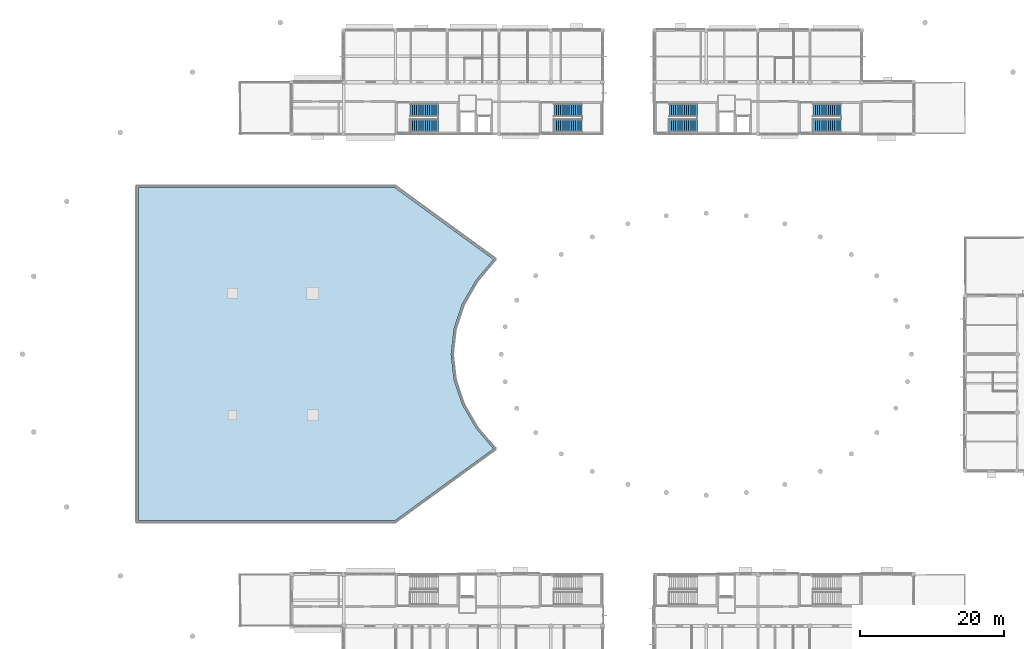
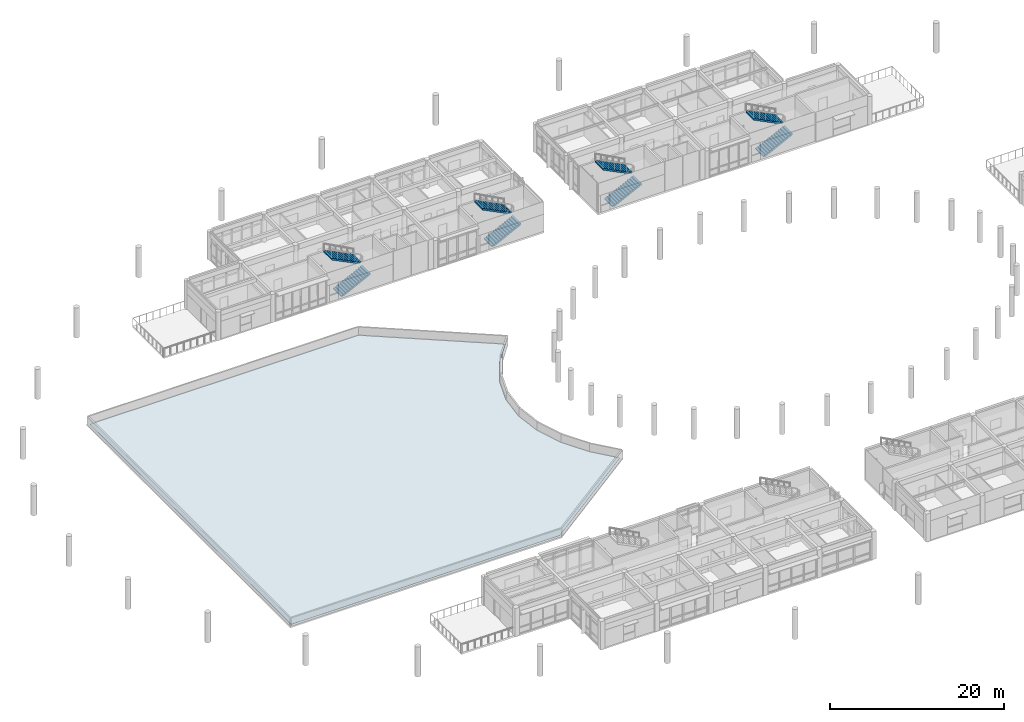
# One storey, part 31 of 55: 8 stair flights, 1 roof, 4 elements without a shape of their own.
"""IFC4 building model written with IfcOpenShell, lengths in metres."""

import ifcopenshell
import ifcopenshell.guid

model = None  # the IFC model being written
_history = None  # IfcOwnerHistory: only IFC2X3 demands one
_inside = {}  # id of a spatial element -> (the spatial element, [elements in it])
_under = {}  # id of a project, library or spatial element -> (it, [spatial elements below it])
_declared = {}  # id of a project -> (the project, [libraries it declares])
_typed = {}  # id of a type object -> (the type object, [elements of that type])
_made_of = {}  # id of a material, layer set ... -> (it, [elements and type objects made of it])


def new_model(schema):
    """Start an empty IFC model of exactly this schema.

    Asked for "IFC4X3", IfcOpenShell would pick the latest addendum, in which some entities
    have other attributes; the version numbers below select the first issue.
    IFC2X3 requires an IfcOwnerHistory on every rooted entity: one is made here for all.
    """
    global model, _history
    if schema == "IFC4X3":
        model = ifcopenshell.file(schema_version=(4, 3, 0, 0))
    else:
        model = ifcopenshell.file(schema=schema)
    _inside.clear()
    _under.clear()
    _declared.clear()
    _typed.clear()
    _made_of.clear()
    _history = None
    if model.schema == "IFC2X3":
        org = make("IfcOrganization", Name="unknown")
        user = make(
            "IfcPersonAndOrganization",
            ThePerson=make("IfcPerson", FamilyName="unknown"),
            TheOrganization=org,
        )
        app = make(
            "IfcApplication",
            ApplicationDeveloper=org,
            Version="unknown",
            ApplicationFullName="unknown",
            ApplicationIdentifier="unknown",
        )
        _history = make(
            "IfcOwnerHistory",
            OwningUser=user,
            OwningApplication=app,
            ChangeAction="ADDED",
            CreationDate=0,
        )
    return model


def make(cls, **values):
    """One entity of the class cls with the attributes given. An attribute that is None is left unset."""
    return model.create_entity(
        cls, **{name: value for name, value in values.items() if value is not None}
    )


def rooted(cls, **values):
    """An entity with a GlobalId (a new one), such as an element, a storey or a relation."""
    return make(cls, GlobalId=ifcopenshell.guid.new(), OwnerHistory=_history, **values)


def si_unit(unit_type, name, prefix=None):
    """IfcSIUnit, for example si_unit("LENGTHUNIT", "METRE", prefix="MILLI")."""
    return make("IfcSIUnit", UnitType=unit_type, Prefix=prefix, Name=name)


def assignment(units):
    """IfcUnitAssignment: the units of a project."""
    return None if units is None else make("IfcUnitAssignment", Units=units)


def point(xyz):
    """IfcCartesianPoint."""
    return None if xyz is None else make("IfcCartesianPoint", Coordinates=xyz)


def direction(xyz):
    """IfcDirection."""
    return None if xyz is None else make("IfcDirection", DirectionRatios=xyz)


def frame(location, z_axis=None, x_axis=None):
    """IfcAxis2Placement3D, a coordinate frame: its origin and axes. An axis left out is left unset."""
    return make(
        "IfcAxis2Placement3D",
        Location=point(location),
        Axis=direction(z_axis),
        RefDirection=direction(x_axis),
    )


def origin():
    """The frame at (0, 0, 0) with its axes left unset."""
    return frame((0.0, 0.0, 0.0))


def place(relative_to, where):
    """IfcLocalPlacement: puts the frame where relative to a parent placement (None: the world)."""
    return make(
        "IfcLocalPlacement", PlacementRelTo=relative_to, RelativePlacement=where
    )


def context(
    kind, dimensions, precision=None, world=None, true_north=None, identifier=None
):
    """IfcGeometricRepresentationContext, for example the 3D "Model" context."""
    return make(
        "IfcGeometricRepresentationContext",
        ContextIdentifier=identifier,
        ContextType=kind,
        CoordinateSpaceDimension=dimensions,
        Precision=precision,
        WorldCoordinateSystem=world,
        TrueNorth=true_north,
    )


def subcontext(parent, identifier, kind, view, scale=None):
    """IfcGeometricRepresentationSubContext, for example "Body" below "Model"."""
    return make(
        "IfcGeometricRepresentationSubContext",
        ContextIdentifier=identifier,
        ContextType=kind,
        ParentContext=parent,
        TargetScale=scale,
        TargetView=view,
    )


def project(units=None, contexts=None):
    """IfcProject with its units and contexts."""
    return rooted(
        "IfcProject",
        Name="project",
        RepresentationContexts=contexts,
        UnitsInContext=assignment(units),
    )


def spatial(cls, under=None, at=None, **own):
    """A site, building, storey or space (cls), placed at a placement, below another one or the project."""
    s = rooted(cls, ObjectPlacement=at, **own)
    if under is not None:
        _under.setdefault(under.id(), (under, []))[1].append(s)
    return s


def polyline(points):
    """IfcPolyline through the points."""
    return make("IfcPolyline", Points=[point(p) for p in points])


def outline(outer, holes=None, kind="AREA"):
    """IfcArbitraryClosedProfileDef: a profile drawn as a closed curve; with holes, ...WithVoids."""
    if holes is None:
        return make("IfcArbitraryClosedProfileDef", ProfileType=kind, OuterCurve=outer)
    return make(
        "IfcArbitraryProfileDefWithVoids",
        ProfileType=kind,
        OuterCurve=outer,
        InnerCurves=holes,
    )


def extrude(swept, where, along, depth):
    """IfcExtrudedAreaSolid: the profile swept, set in the frame where, extruded along a direction by depth."""
    return make(
        "IfcExtrudedAreaSolid",
        SweptArea=swept,
        Position=where,
        ExtrudedDirection=direction(along),
        Depth=depth,
    )


def shape(context_of_items, identifier, shape_type, items):
    """IfcShapeRepresentation: the items that make up one representation, for example the "Body"."""
    return make(
        "IfcShapeRepresentation",
        ContextOfItems=context_of_items,
        RepresentationIdentifier=identifier,
        RepresentationType=shape_type,
        Items=items,
    )


def material(Name=None, Category=None):
    """IfcMaterial."""
    return make("IfcMaterial", Name=Name, Category=Category)


def layer(
    of_material, thickness, ventilated=None, Name=None, Category=None, Priority=None
):
    """IfcMaterialLayer: one layer of a wall or slab, of a material (None: an air gap)."""
    return make(
        "IfcMaterialLayer",
        Material=of_material,
        LayerThickness=thickness,
        IsVentilated=ventilated,
        Name=Name,
        Category=Category,
        Priority=Priority,
    )


def layer_set(layers, Name=None):
    """IfcMaterialLayerSet."""
    return make("IfcMaterialLayerSet", MaterialLayers=layers, LayerSetName=Name)


def made_of(thing, what):
    """Note that an element or type object is made of a material, layer set ...; save() writes the relation."""
    if what is not None:
        _made_of.setdefault(what.id(), (what, []))[1].append(thing)
    return thing


def type_object(cls, material=None, **own):
    """A type object (cls), such as IfcWallType, which elements share."""
    return made_of(rooted(cls, **own), material)


def element(
    cls,
    number,
    at=None,
    inside=None,
    cuts=None,
    type_object=None,
    material=None,
    context=None,
    identifier="Body",
    shape_type=None,
    held_by="IfcProductDefinitionShape",
    body=None,
    shapes=None,
    **own,
):
    """One element of the class cls, such as IfcWall. Its Tag is "e" and its number.

    at: its placement. inside: the storey or other place that contains it. cuts: it is an
    opening in that element (IfcRelVoidsElement). A single representation is given by context,
    identifier, shape_type and body (its items); several are given by shapes. held_by: the class
    of the entity that holds the representations. save() writes the other relations.
    """
    e = rooted(cls, Tag="e%d" % number, ObjectPlacement=at, **own)
    if body is not None:
        shapes = [shape(context, identifier, shape_type, body)]
    if shapes is not None:
        e.Representation = make(held_by, Representations=shapes)
    if inside is not None:
        _inside.setdefault(inside.id(), (inside, []))[1].append(e)
    if cuts is not None:
        rooted(
            "IfcRelVoidsElement", RelatingBuildingElement=cuts, RelatedOpeningElement=e
        )
    if type_object is not None:
        _typed.setdefault(type_object.id(), (type_object, []))[1].append(e)
    return made_of(e, material)


def aggregate(whole, parts):
    """IfcRelAggregates: a whole, such as a stair, and the parts it consists of."""
    return rooted("IfcRelAggregates", RelatingObject=whole, RelatedObjects=parts)


def save(model, path):
    """Write the relations noted so far, then the file.

    IfcRelAggregates (storeys below a building ...), IfcRelContainedInSpatialStructure (elements
    in a storey), IfcRelDefinesByType, IfcRelAssociatesMaterial and IfcRelDeclares: one each for
    every whole, place, type object, material and project.
    """
    for whole, parts in _under.values():
        aggregate(whole, parts)
    for where, things in _inside.values():
        rooted(
            "IfcRelContainedInSpatialStructure",
            RelatedElements=things,
            RelatingStructure=where,
        )
    for kind, things in _typed.values():
        rooted("IfcRelDefinesByType", RelatedObjects=things, RelatingType=kind)
    for what, things in _made_of.values():
        rooted("IfcRelAssociatesMaterial", RelatedObjects=things, RelatingMaterial=what)
    for by, libraries in _declared.values():
        rooted("IfcRelDeclares", RelatingContext=by, RelatedDefinitions=libraries)
    model.write(path)


model = new_model("IFC4")

# Units and contexts
model_context = context("Model", 3, precision=1e-05, world=origin(), true_north=direction((0.0, 1.0)))
body_context = subcontext(model_context, "Body", "Model", "MODEL_VIEW")
ifc_project = project(units=[si_unit("LENGTHUNIT", "METRE"), si_unit("AREAUNIT", "SQUARE_METRE"), si_unit("VOLUMEUNIT", "CUBIC_METRE"), si_unit("PLANEANGLEUNIT", "RADIAN"), si_unit("MASSUNIT", "GRAM", prefix="KILO")], contexts=[model_context])

# Site, building, storey
site_placement = place(None, origin())
site = spatial("IfcSite", under=ifc_project, at=site_placement, CompositionType="ELEMENT")
building_placement = place(site_placement, origin())
building = spatial("IfcBuilding", under=site, at=building_placement, Name="Namkhue Oval Health Centre", CompositionType="ELEMENT")
storey_placement = place(building_placement, frame((0.0, 0.0, 9.60009765625)))
storey = spatial("IfcBuildingStorey", under=building, at=storey_placement, Name="L02", CompositionType="ELEMENT", Elevation=9.60009765625)

# Stair, stair flights
ifc_material_1 = material(Name="Reinforced concrete C30/37 (TCVN B35)", Category="concrete")
stair_type = type_object("IfcStairType", Name="DOGLEG EXIT STAIR H4200", PredefinedType="HALF_TURN_STAIR", material=ifc_material_1)
stair_1_placement = place(storey_placement, origin())
stair_1 = element("IfcStair", 1, at=stair_1_placement, inside=storey, type_object=stair_type, Name="Protected Exit Stair ST-03 L02", PredefinedType="HALF_TURN_STAIR")
stair_flight_type = type_object("IfcStairFlightType", Name="STRAIGHT STAIR FLIGHT 1850", PredefinedType="STRAIGHT", material=ifc_material_1)
stair_flight_1_placement = place(storey_placement, frame((59.64990234375, 91.175048828125, 0.0), z_axis=(0.0, 0.0, 1.0), x_axis=(1.0, 0.0, 0.0)))
stair_flight_1 = element("IfcStairFlight", 2, at=stair_flight_1_placement, type_object=stair_flight_type, Name="ST-03 flight 1", NumberOfRisers=14, NumberOfTreads=13, PredefinedType="STRAIGHT", RiserHeight=0.15, TreadLength=0.3, context=body_context, shape_type="SweptSolid", body=[
    extrude(outline(polyline([(0.0, 0.0), (0.0, 0.14990234375), (0.300048828125, 0.14990234375), (0.300048828125, 0.300048828125), (0.60009765625, 0.300048828125), (0.60009765625, 0.449951171875), (0.89990234375, 0.449951171875), (0.89990234375, 0.60009765625), (1.199951171875, 0.60009765625), (1.199951171875, 0.75), (1.5, 0.75), (1.5, 0.89990234375), (1.800048828125, 0.89990234375), (1.800048828125, 1.050048828125), (2.10009765625, 1.050048828125), (2.10009765625, 1.199951171875), (2.39990234375, 1.199951171875), (2.39990234375, 1.35009765625), (2.699951171875, 1.35009765625), (2.699951171875, 1.5), (3.0, 1.5), (3.0, 1.64990234375), (3.300048828125, 1.64990234375), (3.300048828125, 1.800048828125), (3.60009765625, 1.800048828125), (3.60009765625, 1.949951171875), (3.89990234375, 1.949951171875), (3.89990234375, 2.10009765625), (3.89990234375, 1.748779296875), (0.40234375, 0.0), (0.0, 0.0)])), frame((0.0, 0.925048828125, 0.0), z_axis=(0.0, -1.0, 0.0), x_axis=(1.0, 0.0, 0.0)), (0.0, 0.0, 1.0), 1.85009765625),
])
stair_flight_2_placement = place(storey_placement, frame((63.550048828125, 93.324951171875, 2.099853515625), z_axis=(0.0, 0.0, 1.0), x_axis=(-1.0, 0.0, 0.0)))
stair_flight_2 = element("IfcStairFlight", 3, at=stair_flight_2_placement, type_object=stair_flight_type, Name="ST-03 flight 2", NumberOfRisers=14, NumberOfTreads=13, PredefinedType="STRAIGHT", RiserHeight=0.15, TreadLength=0.3, context=body_context, shape_type="SweptSolid", body=[
    extrude(outline(polyline([(0.0, 0.0), (0.0, 0.14990234375), (0.300048828125, 0.14990234375), (0.300048828125, 0.300048828125), (0.60009765625, 0.300048828125), (0.60009765625, 0.449951171875), (0.89990234375, 0.449951171875), (0.89990234375, 0.60009765625), (1.199951171875, 0.60009765625), (1.199951171875, 0.75), (1.5, 0.75), (1.5, 0.89990234375), (1.800048828125, 0.89990234375), (1.800048828125, 1.050048828125), (2.10009765625, 1.050048828125), (2.10009765625, 1.199951171875), (2.39990234375, 1.199951171875), (2.39990234375, 1.35009765625), (2.699951171875, 1.35009765625), (2.699951171875, 1.5), (3.0, 1.5), (3.0, 1.64990234375), (3.300048828125, 1.64990234375), (3.300048828125, 1.800048828125), (3.60009765625, 1.800048828125), (3.60009765625, 1.949951171875), (3.89990234375, 1.949951171875), (3.89990234375, 2.10009765625), (3.89990234375, 1.748779296875), (0.40234375, 0.0), (0.0, 0.0)])), frame((0.0, 0.925048828125, 0.0), z_axis=(0.0, -1.0, 0.0), x_axis=(1.0, 0.0, 0.0)), (0.0, 0.0, 1.0), 1.85009765625),
])
aggregate(stair_1, [stair_flight_1, stair_flight_2])

stair_2_placement = place(storey_placement, origin())
stair_2 = element("IfcStair", 4, at=stair_2_placement, inside=storey, type_object=stair_type, Name="Protected Exit Stair ST-04 L02", PredefinedType="HALF_TURN_STAIR")
stair_flight_3_placement = place(storey_placement, frame((79.64990234375, 91.175048828125, 0.0), z_axis=(0.0, 0.0, 1.0), x_axis=(1.0, 0.0, 0.0)))
stair_flight_3 = element("IfcStairFlight", 5, at=stair_flight_3_placement, type_object=stair_flight_type, Name="ST-04 flight 1", NumberOfRisers=14, NumberOfTreads=13, PredefinedType="STRAIGHT", RiserHeight=0.15, TreadLength=0.3, context=body_context, shape_type="SweptSolid", body=[
    extrude(outline(polyline([(0.0, 0.0), (0.0, 0.14990234375), (0.300048828125, 0.14990234375), (0.300048828125, 0.300048828125), (0.60009765625, 0.300048828125), (0.60009765625, 0.449951171875), (0.89990234375, 0.449951171875), (0.89990234375, 0.60009765625), (1.199951171875, 0.60009765625), (1.199951171875, 0.75), (1.5, 0.75), (1.5, 0.89990234375), (1.800048828125, 0.89990234375), (1.800048828125, 1.050048828125), (2.10009765625, 1.050048828125), (2.10009765625, 1.199951171875), (2.39990234375, 1.199951171875), (2.39990234375, 1.35009765625), (2.699951171875, 1.35009765625), (2.699951171875, 1.5), (3.0, 1.5), (3.0, 1.64990234375), (3.300048828125, 1.64990234375), (3.300048828125, 1.800048828125), (3.60009765625, 1.800048828125), (3.60009765625, 1.949951171875), (3.89990234375, 1.949951171875), (3.89990234375, 2.10009765625), (3.89990234375, 1.748779296875), (0.40234375, 0.0), (0.0, 0.0)])), frame((0.0, 0.925048828125, 0.0), z_axis=(0.0, -1.0, 0.0), x_axis=(1.0, 0.0, 0.0)), (0.0, 0.0, 1.0), 1.85009765625),
])
stair_flight_4_placement = place(storey_placement, frame((83.550048828125, 93.324951171875, 2.099853515625), z_axis=(0.0, 0.0, 1.0), x_axis=(-1.0, 0.0, 0.0)))
stair_flight_4 = element("IfcStairFlight", 6, at=stair_flight_4_placement, type_object=stair_flight_type, Name="ST-04 flight 2", NumberOfRisers=14, NumberOfTreads=13, PredefinedType="STRAIGHT", RiserHeight=0.15, TreadLength=0.3, context=body_context, shape_type="SweptSolid", body=[
    extrude(outline(polyline([(0.0, 0.0), (0.0, 0.14990234375), (0.300048828125, 0.14990234375), (0.300048828125, 0.300048828125), (0.60009765625, 0.300048828125), (0.60009765625, 0.449951171875), (0.89990234375, 0.449951171875), (0.89990234375, 0.60009765625), (1.199951171875, 0.60009765625), (1.199951171875, 0.75), (1.5, 0.75), (1.5, 0.89990234375), (1.800048828125, 0.89990234375), (1.800048828125, 1.050048828125), (2.10009765625, 1.050048828125), (2.10009765625, 1.199951171875), (2.39990234375, 1.199951171875), (2.39990234375, 1.35009765625), (2.699951171875, 1.35009765625), (2.699951171875, 1.5), (3.0, 1.5), (3.0, 1.64990234375), (3.300048828125, 1.64990234375), (3.300048828125, 1.800048828125), (3.60009765625, 1.800048828125), (3.60009765625, 1.949951171875), (3.89990234375, 1.949951171875), (3.89990234375, 2.10009765625), (3.89990234375, 1.748779296875), (0.40234375, 0.0), (0.0, 0.0)])), frame((0.0, 0.925048828125, 0.0), z_axis=(0.0, -1.0, 0.0), x_axis=(1.0, 0.0, 0.0)), (0.0, 0.0, 1.0), 1.85009765625),
])
aggregate(stair_2, [stair_flight_3, stair_flight_4])

stair_3_placement = place(storey_placement, origin())
stair_3 = element("IfcStair", 7, at=stair_3_placement, inside=storey, type_object=stair_type, Name="Protected Exit Stair ST-05 L02", PredefinedType="HALF_TURN_STAIR")
stair_flight_5_placement = place(storey_placement, frame((95.64990234375, 91.175048828125, 0.0), z_axis=(0.0, 0.0, 1.0), x_axis=(1.0, 0.0, 0.0)))
stair_flight_5 = element("IfcStairFlight", 8, at=stair_flight_5_placement, type_object=stair_flight_type, Name="ST-05 flight 1", NumberOfRisers=14, NumberOfTreads=13, PredefinedType="STRAIGHT", RiserHeight=0.15, TreadLength=0.3, context=body_context, shape_type="SweptSolid", body=[
    extrude(outline(polyline([(0.0, 0.0), (0.0, 0.14990234375), (0.300048828125, 0.14990234375), (0.300048828125, 0.300048828125), (0.60009765625, 0.300048828125), (0.60009765625, 0.449951171875), (0.89990234375, 0.449951171875), (0.89990234375, 0.60009765625), (1.199951171875, 0.60009765625), (1.199951171875, 0.75), (1.5, 0.75), (1.5, 0.89990234375), (1.800048828125, 0.89990234375), (1.800048828125, 1.050048828125), (2.10009765625, 1.050048828125), (2.10009765625, 1.199951171875), (2.39990234375, 1.199951171875), (2.39990234375, 1.35009765625), (2.699951171875, 1.35009765625), (2.699951171875, 1.5), (3.0, 1.5), (3.0, 1.64990234375), (3.300048828125, 1.64990234375), (3.300048828125, 1.800048828125), (3.60009765625, 1.800048828125), (3.60009765625, 1.949951171875), (3.89990234375, 1.949951171875), (3.89990234375, 2.10009765625), (3.89990234375, 1.748779296875), (0.40234375, 0.0), (0.0, 0.0)])), frame((0.0, 0.925048828125, 0.0), z_axis=(0.0, -1.0, 0.0), x_axis=(1.0, 0.0, 0.0)), (0.0, 0.0, 1.0), 1.85009765625),
])
stair_flight_6_placement = place(storey_placement, frame((99.550048828125, 93.324951171875, 2.099853515625), z_axis=(0.0, 0.0, 1.0), x_axis=(-1.0, 0.0, 0.0)))
stair_flight_6 = element("IfcStairFlight", 9, at=stair_flight_6_placement, type_object=stair_flight_type, Name="ST-05 flight 2", NumberOfRisers=14, NumberOfTreads=13, PredefinedType="STRAIGHT", RiserHeight=0.15, TreadLength=0.3, context=body_context, shape_type="SweptSolid", body=[
    extrude(outline(polyline([(0.0, 0.0), (0.0, 0.14990234375), (0.300048828125, 0.14990234375), (0.300048828125, 0.300048828125), (0.60009765625, 0.300048828125), (0.60009765625, 0.449951171875), (0.89990234375, 0.449951171875), (0.89990234375, 0.60009765625), (1.199951171875, 0.60009765625), (1.199951171875, 0.75), (1.5, 0.75), (1.5, 0.89990234375), (1.800048828125, 0.89990234375), (1.800048828125, 1.050048828125), (2.10009765625, 1.050048828125), (2.10009765625, 1.199951171875), (2.39990234375, 1.199951171875), (2.39990234375, 1.35009765625), (2.699951171875, 1.35009765625), (2.699951171875, 1.5), (3.0, 1.5), (3.0, 1.64990234375), (3.300048828125, 1.64990234375), (3.300048828125, 1.800048828125), (3.60009765625, 1.800048828125), (3.60009765625, 1.949951171875), (3.89990234375, 1.949951171875), (3.89990234375, 2.10009765625), (3.89990234375, 1.748779296875), (0.40234375, 0.0), (0.0, 0.0)])), frame((0.0, 0.925048828125, 0.0), z_axis=(0.0, -1.0, 0.0), x_axis=(1.0, 0.0, 0.0)), (0.0, 0.0, 1.0), 1.85009765625),
])
aggregate(stair_3, [stair_flight_5, stair_flight_6])

stair_4_placement = place(storey_placement, origin())
stair_4 = element("IfcStair", 10, at=stair_4_placement, inside=storey, type_object=stair_type, Name="Protected Exit Stair ST-06 L02", PredefinedType="HALF_TURN_STAIR")
stair_flight_7_placement = place(storey_placement, frame((115.64990234375, 91.175048828125, 0.0), z_axis=(0.0, 0.0, 1.0), x_axis=(1.0, 0.0, 0.0)))
stair_flight_7 = element("IfcStairFlight", 11, at=stair_flight_7_placement, type_object=stair_flight_type, Name="ST-06 flight 1", NumberOfRisers=14, NumberOfTreads=13, PredefinedType="STRAIGHT", RiserHeight=0.15, TreadLength=0.3, context=body_context, shape_type="SweptSolid", body=[
    extrude(outline(polyline([(0.0, 0.0), (0.0, 0.14990234375), (0.300048828125, 0.14990234375), (0.300048828125, 0.300048828125), (0.60009765625, 0.300048828125), (0.60009765625, 0.449951171875), (0.89990234375, 0.449951171875), (0.89990234375, 0.60009765625), (1.199951171875, 0.60009765625), (1.199951171875, 0.75), (1.5, 0.75), (1.5, 0.89990234375), (1.800048828125, 0.89990234375), (1.800048828125, 1.050048828125), (2.10009765625, 1.050048828125), (2.10009765625, 1.199951171875), (2.39990234375, 1.199951171875), (2.39990234375, 1.35009765625), (2.699951171875, 1.35009765625), (2.699951171875, 1.5), (3.0, 1.5), (3.0, 1.64990234375), (3.300048828125, 1.64990234375), (3.300048828125, 1.800048828125), (3.60009765625, 1.800048828125), (3.60009765625, 1.949951171875), (3.89990234375, 1.949951171875), (3.89990234375, 2.10009765625), (3.89990234375, 1.748779296875), (0.40234375, 0.0), (0.0, 0.0)])), frame((0.0, 0.925048828125, 0.0), z_axis=(0.0, -1.0, 0.0), x_axis=(1.0, 0.0, 0.0)), (0.0, 0.0, 1.0), 1.85009765625),
])
stair_flight_8_placement = place(storey_placement, frame((119.550048828125, 93.324951171875, 2.099853515625), z_axis=(0.0, 0.0, 1.0), x_axis=(-1.0, 0.0, 0.0)))
stair_flight_8 = element("IfcStairFlight", 12, at=stair_flight_8_placement, type_object=stair_flight_type, Name="ST-06 flight 2", NumberOfRisers=14, NumberOfTreads=13, PredefinedType="STRAIGHT", RiserHeight=0.15, TreadLength=0.3, context=body_context, shape_type="SweptSolid", body=[
    extrude(outline(polyline([(0.0, 0.0), (0.0, 0.14990234375), (0.300048828125, 0.14990234375), (0.300048828125, 0.300048828125), (0.60009765625, 0.300048828125), (0.60009765625, 0.449951171875), (0.89990234375, 0.449951171875), (0.89990234375, 0.60009765625), (1.199951171875, 0.60009765625), (1.199951171875, 0.75), (1.5, 0.75), (1.5, 0.89990234375), (1.800048828125, 0.89990234375), (1.800048828125, 1.050048828125), (2.10009765625, 1.050048828125), (2.10009765625, 1.199951171875), (2.39990234375, 1.199951171875), (2.39990234375, 1.35009765625), (2.699951171875, 1.35009765625), (2.699951171875, 1.5), (3.0, 1.5), (3.0, 1.64990234375), (3.300048828125, 1.64990234375), (3.300048828125, 1.800048828125), (3.60009765625, 1.800048828125), (3.60009765625, 1.949951171875), (3.89990234375, 1.949951171875), (3.89990234375, 2.10009765625), (3.89990234375, 1.748779296875), (0.40234375, 0.0), (0.0, 0.0)])), frame((0.0, 0.925048828125, 0.0), z_axis=(0.0, -1.0, 0.0), x_axis=(1.0, 0.0, 0.0)), (0.0, 0.0, 1.0), 1.85009765625),
])
aggregate(stair_4, [stair_flight_7, stair_flight_8])

# Roof
ifc_material_2 = material(Name="Standing-seam aluminium-zinc insulated roofing", Category="aluminium")
ifc_layer = layer(ifc_material_2, 0.0400390625)
ifc_layer_set = layer_set([ifc_layer], Name="Standing-seam aluminium-zinc insulated roofing")
roof_type = type_object("IfcRoofType", Name="WING INSULATED FLAT ROOF ASSEMBLY", PredefinedType="FLAT_ROOF", material=ifc_layer_set)
roof_placement = place(storey_placement, origin())
element("IfcRoof", 13, at=roof_placement, inside=storey, type_object=roof_type, Name="Volume V1 L02 Insulated Flat Roof Assembly 1", PredefinedType="FLAT_ROOF", context=body_context, shape_type="SweptSolid", body=[
    extrude(outline(polyline([(21.860107421875, 36.260009765625), (21.860107421875, 82.5400390625), (57.515380859375, 82.5400390625), (71.238037109375, 72.552001953125), (68.8310546875, 69.728759765625), (68.81689453125, 69.710205078125), (68.80419921875, 69.6904296875), (66.9130859375, 66.430419921875), (66.901123046875, 66.4072265625), (66.8916015625, 66.383056640625), (65.740478515625, 62.97119140625), (65.733154296875, 62.944091796875), (65.728515625, 62.916748046875), (65.341552734375, 59.4287109375), (65.340087890625, 59.39990234375), (65.341552734375, 59.371337890625), (65.728515625, 55.88330078125), (65.733154296875, 55.855712890625), (65.740478515625, 55.828857421875), (66.8916015625, 52.4169921875), (66.901123046875, 52.392578125), (66.9130859375, 52.369384765625), (68.80419921875, 49.109619140625), (68.81689453125, 49.08984375), (68.8310546875, 49.0712890625), (71.238037109375, 46.248046875), (57.515380859375, 36.260009765625), (21.860107421875, 36.260009765625)])), origin(), (0.0, 0.0, 1.0), 0.039794921875),
])

save(model, "model.ifc")
